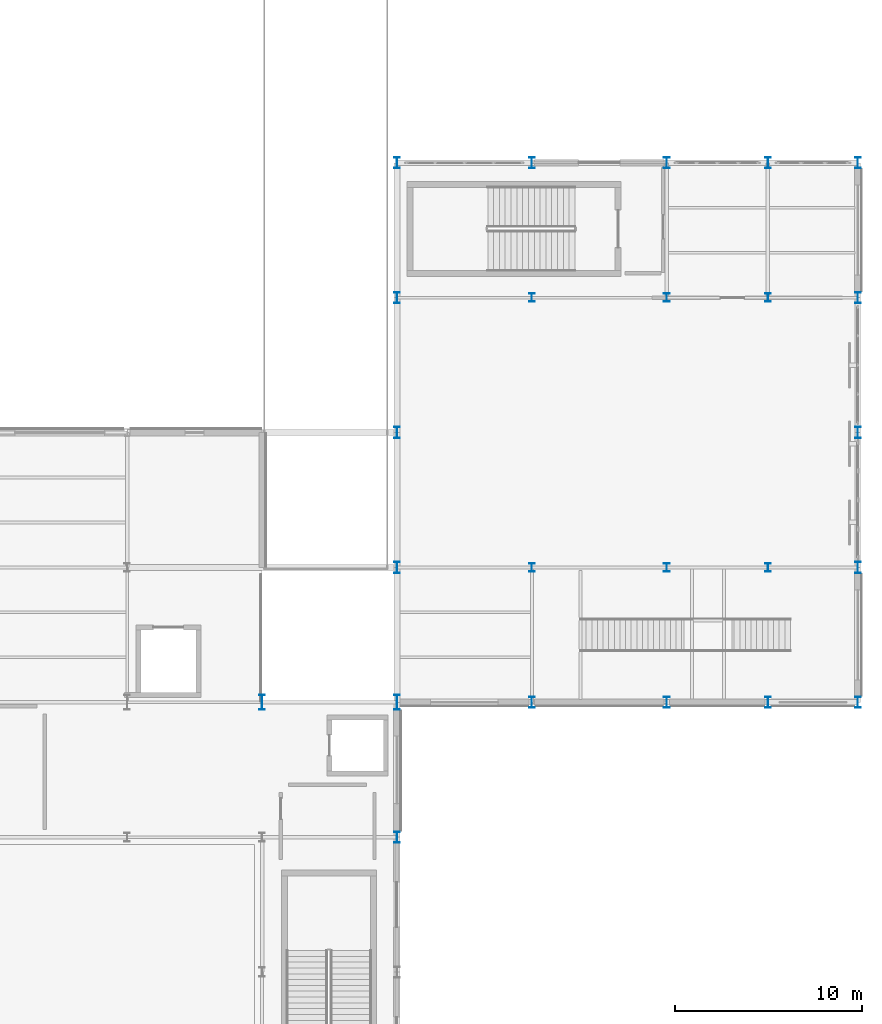
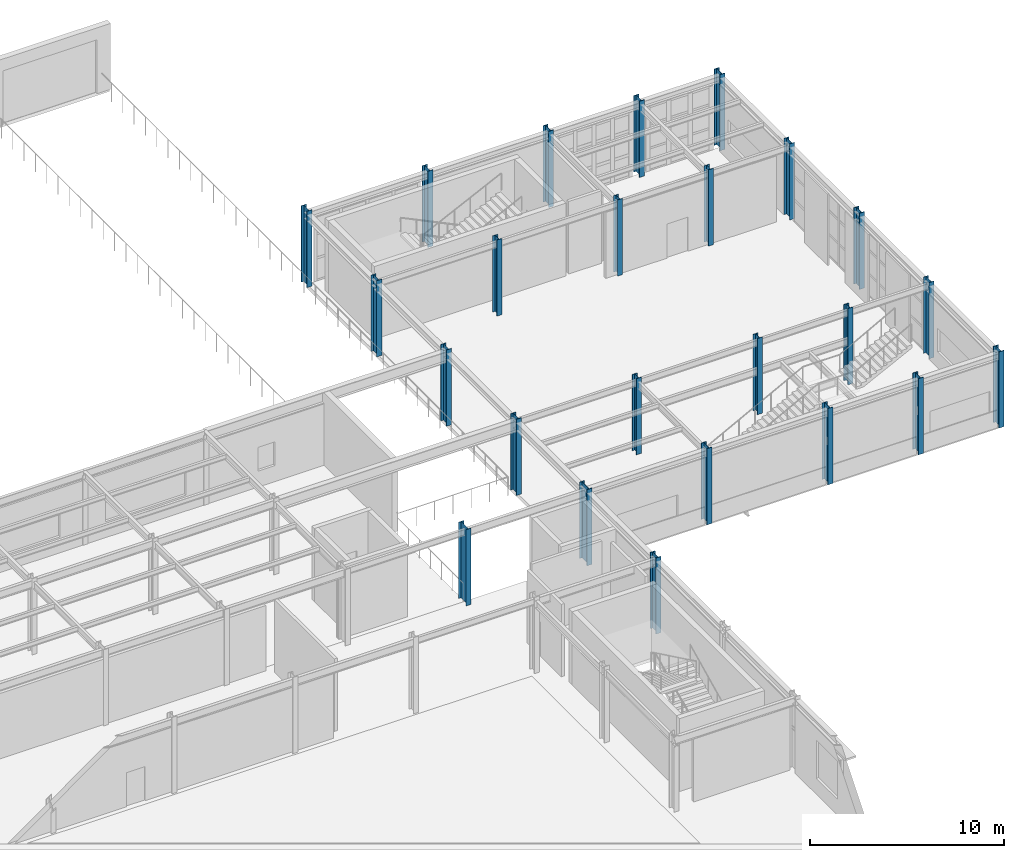
# One storey, part 16 of 83: 24 columns.
"""IFC4 building model written with IfcOpenShell, lengths in metres."""

from ifc_helpers import new_model, si_unit, direction, frame, origin, origin_2d, place, context, subcontext, project, spatial, i_section, extrude, material, material_profile, profile_set, type_object, element, save


model = new_model("IFC4")

# Units and contexts
model_context = context("Model", 3, precision=1e-05, world=origin(), true_north=direction((0.0, 1.0)))
body_context = subcontext(model_context, "Body", "Model", "MODEL_VIEW")
ifc_project = project(units=[si_unit("LENGTHUNIT", "METRE"), si_unit("AREAUNIT", "SQUARE_METRE"), si_unit("VOLUMEUNIT", "CUBIC_METRE"), si_unit("PLANEANGLEUNIT", "RADIAN"), si_unit("MASSUNIT", "GRAM", prefix="KILO")], contexts=[model_context])

# Site, building, storey
site_placement = place(None, origin())
site = spatial("IfcSite", under=ifc_project, at=site_placement, CompositionType="ELEMENT")
building_placement = place(site_placement, origin())
building = spatial("IfcBuilding", under=site, at=building_placement, Name="Solvadek Multi-Sports Hall", CompositionType="ELEMENT")
storey_placement = place(building_placement, origin())
storey = spatial("IfcBuildingStorey", under=building, at=storey_placement, Name="L00", CompositionType="ELEMENT", Elevation=0.0)

# Columns
ifc_material = material(Name="Steel E350 (350 MPa)", Category="steel")
ifc_material_profile_1 = material_profile(ifc_material, i_section(OverallWidth=0.300048828125, OverallDepth=0.449951171875, WebThickness=0.013916015625, FlangeThickness=0.02587890625, at=origin_2d()), Name="WPB 450")
ifc_profile_set_1 = profile_set([ifc_material_profile_1], Name="Steel E350 (350 MPa)")
column_type_1 = type_object("IfcColumnType", Name="STR-COL-WPB450", PredefinedType="COLUMN", material=ifc_profile_set_1)
for number, where, z_axis, x_axis, name in (
    (1, (144.0, 49.199951171875, 0.0), (0.0, 0.0, 1.0), (1.0, 0.0, 0.0), "L00 Column C-06 #247"),
    (2, (144.0, 63.60009765625, 0.0), (0.0, 0.0, 1.0), (1.0, 0.0, 0.0), "L00 Column C-06 #249"),
    (3, (151.199951171875, 49.199951171875, 0.0), (0.0, 0.0, 1.0), (1.0, 0.0, 0.0), "L00 Column C-06 #252"),
    (4, (151.199951171875, 63.60009765625, 0.0), (0.0, 0.0, 1.0), (1.0, 0.0, 0.0), "L00 Column C-06 #254"),
    (5, (156.60009765625, 49.199951171875, 0.0), (0.0, 0.0, 1.0), (1.0, 0.0, 0.0), "L00 Column C-06 #257"),
    (6, (156.60009765625, 63.60009765625, 0.0), (0.0, 0.0, 1.0), (1.0, 0.0, 0.0), "L00 Column C-06 #259"),
):
    element("IfcColumn", number, at=place(storey_placement, frame(where, z_axis=z_axis, x_axis=x_axis)), inside=storey, type_object=column_type_1, Name=name, PredefinedType="COLUMN", context=body_context, shape_type="SweptSolid", body=[
        extrude(i_section(OverallWidth=0.300048828125, OverallDepth=0.449951171875, WebThickness=0.013916015625, FlangeThickness=0.02587890625, at=origin_2d()), origin(), (0.0, 0.0, 1.0), 4.800048828125),
    ])
ifc_material_profile_2 = material_profile(ifc_material, i_section(OverallWidth=0.300048828125, OverallDepth=0.60009765625, WebThickness=0.015380859375, FlangeThickness=0.030029296875, at=origin_2d()), Name="WPB 600")
ifc_profile_set_2 = profile_set([ifc_material_profile_2], Name="Steel E350 (350 MPa)")
column_type_2 = type_object("IfcColumnType", Name="STR-COL-WPB600", PredefinedType="COLUMN", material=ifc_profile_set_2)
for number, where, z_axis, x_axis, name in (
    (7, (136.800048828125, 34.800048828125, 0.0), (0.0, 0.0, 1.0), (1.0, 0.0, 0.0), "L00 Column C-03 #240"),
    (8, (136.800048828125, 49.199951171875, 0.0), (0.0, 0.0, 1.0), (1.0, 0.0, 0.0), "L00 Column C-03 #242"),
    (9, (136.800048828125, 56.39990234375, 0.0), (0.0, 0.0, 1.0), (1.0, 0.0, 0.0), "L00 Column C-03 #243"),
    (10, (136.800048828125, 63.60009765625, 0.0), (0.0, 0.0, 1.0), (1.0, 0.0, 0.0), "L00 Column C-03 #244"),
    (11, (136.800048828125, 70.800048828125, 0.0), (0.0, 0.0, 1.0), (1.0, 0.0, 0.0), "L00 Column C-03 #245"),
    (12, (144.0, 42.0, 0.0), (0.0, 0.0, 1.0), (1.0, 0.0, 0.0), "L00 Column C-03 #246"),
    (13, (144.0, 70.800048828125, 0.0), (0.0, 0.0, 1.0), (1.0, 0.0, 0.0), "L00 Column C-03 #250"),
    (14, (151.199951171875, 42.0, 0.0), (0.0, 0.0, 1.0), (1.0, 0.0, 0.0), "L00 Column C-03 #251"),
    (15, (151.199951171875, 70.800048828125, 0.0), (0.0, 0.0, 1.0), (1.0, 0.0, 0.0), "L00 Column C-03 #255"),
    (16, (156.60009765625, 42.0, 0.0), (0.0, 0.0, 1.0), (1.0, 0.0, 0.0), "L00 Column C-03 #256"),
    (17, (156.60009765625, 70.800048828125, 0.0), (0.0, 0.0, 1.0), (1.0, 0.0, 0.0), "L00 Column C-03 #260"),
    (18, (161.39990234375, 42.0, 0.0), (0.0, 0.0, 1.0), (1.0, 0.0, 0.0), "L00 Column C-03 #261"),
    (19, (161.39990234375, 49.199951171875, 0.0), (0.0, 0.0, 1.0), (1.0, 0.0, 0.0), "L00 Column C-03 #262"),
    (20, (161.39990234375, 56.39990234375, 0.0), (0.0, 0.0, 1.0), (1.0, 0.0, 0.0), "L00 Column C-03 #263"),
    (21, (161.39990234375, 63.60009765625, 0.0), (0.0, 0.0, 1.0), (1.0, 0.0, 0.0), "L00 Column C-03 #264"),
    (22, (161.39990234375, 70.800048828125, 0.0), (0.0, 0.0, 1.0), (1.0, 0.0, 0.0), "L00 Column C-03 #265"),
):
    element("IfcColumn", number, at=place(storey_placement, frame(where, z_axis=z_axis, x_axis=x_axis)), inside=storey, type_object=column_type_2, Name=name, PredefinedType="COLUMN", context=body_context, shape_type="SweptSolid", body=[
        extrude(i_section(OverallWidth=0.300048828125, OverallDepth=0.60009765625, WebThickness=0.015380859375, FlangeThickness=0.030029296875, at=origin_2d()), origin(), (0.0, 0.0, 1.0), 4.800048828125),
    ])
ifc_material_profile_3 = material_profile(ifc_material, i_section(OverallWidth=0.300048828125, OverallDepth=0.800048828125, WebThickness=0.017578125, FlangeThickness=0.032958984375, at=origin_2d()), Name="WPB 800")
ifc_profile_set_3 = profile_set([ifc_material_profile_3], Name="Steel E350 (350 MPa)")
column_type_3 = type_object("IfcColumnType", Name="STR-COL-WPB800", PredefinedType="COLUMN", material=ifc_profile_set_3)
for number, where, z_axis, x_axis, name in (
    (23, (129.60009765625, 42.0, 0.0), (0.0, 0.0, 1.0), (1.0, 0.0, 0.0), "L00 Column C-01 #235"),
    (24, (136.800048828125, 42.0, 0.0), (0.0, 0.0, 1.0), (1.0, 0.0, 0.0), "L00 Column C-01 #241"),
):
    element("IfcColumn", number, at=place(storey_placement, frame(where, z_axis=z_axis, x_axis=x_axis)), inside=storey, type_object=column_type_3, Name=name, PredefinedType="COLUMN", context=body_context, shape_type="SweptSolid", body=[
        extrude(i_section(OverallWidth=0.300048828125, OverallDepth=0.800048828125, WebThickness=0.017578125, FlangeThickness=0.032958984375, at=origin_2d()), origin(), (0.0, 0.0, 1.0), 4.800048828125),
    ])

save(model, "model.ifc")
